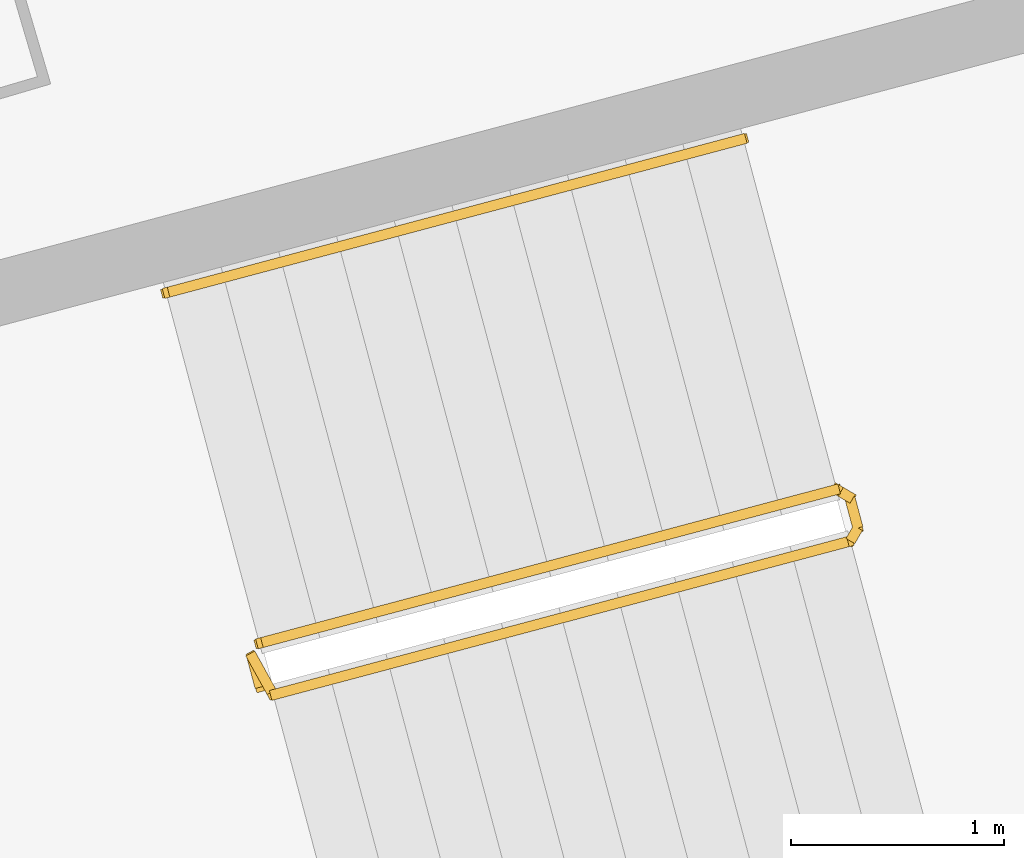
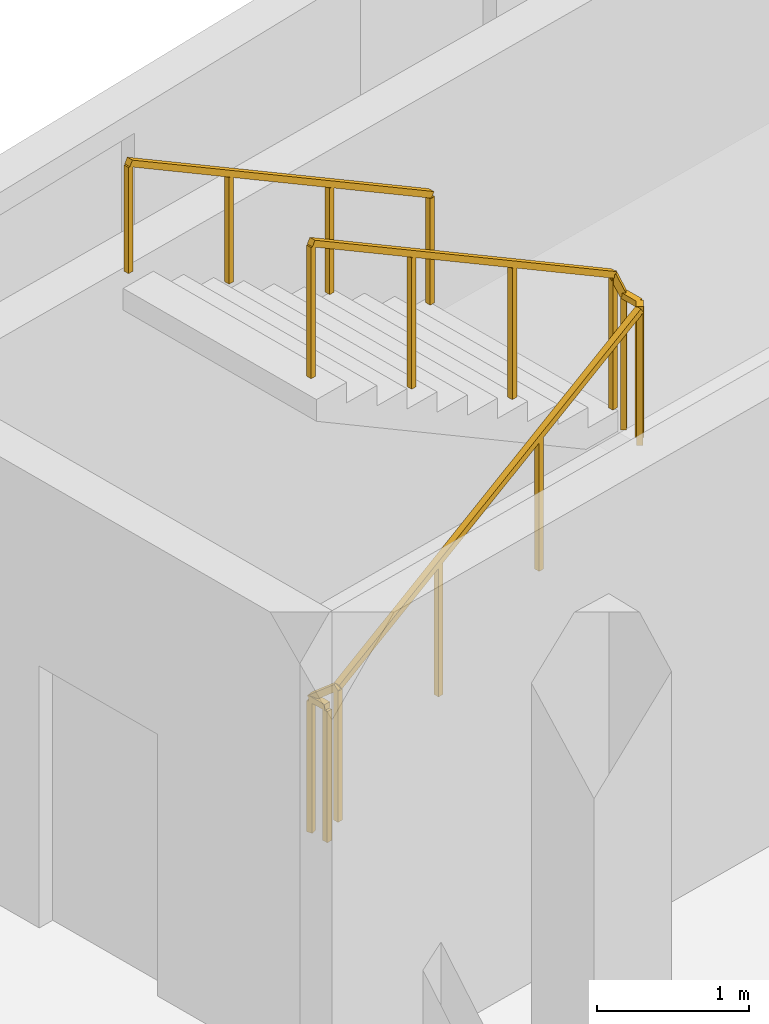
# One storey, part 17 of 17: 2 railings.
"""IFC4 building model written with IfcOpenShell, lengths in metres."""

from ifc_helpers import new_model, si_unit, direction, frame, origin, origin_2d, place, context, subcontext, project, spatial, rectangle, extrude, material, type_object, element, save


model = new_model("IFC4")

# Units and contexts
model_context = context("Model", 3, precision=1e-05, world=origin(), true_north=direction((0.0, 1.0)))
body_context = subcontext(model_context, "Body", "Model", "MODEL_VIEW")
ifc_project = project(units=[si_unit("LENGTHUNIT", "METRE"), si_unit("AREAUNIT", "SQUARE_METRE"), si_unit("VOLUMEUNIT", "CUBIC_METRE"), si_unit("PLANEANGLEUNIT", "RADIAN"), si_unit("MASSUNIT", "GRAM", prefix="KILO")], contexts=[model_context])

# Site, building, storey
site_placement = place(None, origin())
site = spatial("IfcSite", under=ifc_project, at=site_placement, CompositionType="ELEMENT")
building_placement = place(site_placement, origin())
building = spatial("IfcBuilding", under=site, at=building_placement, Name="Alderwake Tower", CompositionType="ELEMENT")
storey_placement = place(building_placement, frame((0.0, 0.0, 260.0)))
storey = spatial("IfcBuildingStorey", under=building, at=storey_placement, Name="L64", CompositionType="ELEMENT", Elevation=260.0)

# Railings
ifc_material_1 = material(Name="Stainless steel guard", Category="steel")
railing_type_1 = type_object("IfcRailingType", Name="Stair guard 1100", PredefinedType="GUARDRAIL", material=ifc_material_1)
railing_1_placement = place(storey_placement, frame((39.23291015625, 92.6806640625, 0.0)))
element("IfcRailing", 1, at=railing_1_placement, inside=storey, type_object=railing_type_1, Name="L64 ST-A stair guard 1", PredefinedType="GUARDRAIL", context=body_context, shape_type="SweptSolid", body=[
    extrude(rectangle(XDim=0.048095703125, YDim=0.048095703125, at=origin_2d()), frame((0.0, 0.0, 1.076171875), z_axis=(-0.257055032184, 0.966396766566, 0.0), x_axis=(-0.966396766566, -0.257055032184, 0.0)), (0.0, 0.0, 1.0), 0.150146484375),
    extrude(rectangle(XDim=0.048095703125, YDim=0.048095703125, at=origin_2d()), frame((-0.03857421875, 0.14501953125, 1.076171875), z_axis=(0.379370725808, -0.685464465458, 0.621463047167), x_axis=(0.874937996095, 0.484234966715, 0.0)), (0.0, 0.0, 1.0), 0.26318359375),
    extrude(rectangle(XDim=0.048095703125, YDim=0.048095703125, at=origin_2d()), frame((0.061279296875, -0.035400390625, 1.23974609375), z_axis=(0.834258940753, 0.22222815314, 0.504605457487), x_axis=(-0.257402139082, 0.966304371715, 0.0)), (0.0, 0.0, 1.0), 3.2431640625),
    extrude(rectangle(XDim=0.048095703125, YDim=0.048095703125, at=origin_2d()), frame((2.766845703125, 0.685302734375, 2.8759765625), z_axis=(0.500220121494, 0.865898279276, 0.0), x_axis=(-0.865898279276, 0.500220121494, 0.0)), (0.0, 0.0, 1.0), 0.07080078125),
    extrude(rectangle(XDim=0.048095703125, YDim=0.048095703125, at=origin_2d()), frame((2.80224609375, 0.74658203125, 2.8759765625), z_axis=(-0.257459803502, 0.966289009345, 0.0), x_axis=(-0.966289009345, -0.257459803502, 0.0)), (0.0, 0.0, 1.0), 0.14990234375),
    extrude(rectangle(XDim=0.048095703125, YDim=0.048095703125, at=origin_2d()), frame((2.763671875, 0.891357421875, 2.8759765625), z_axis=(-0.34252489212, 0.200034536998, 0.917966710881), x_axis=(-0.504300490226, -0.863528236688, 0.0)), (0.0, 0.0, 1.0), 0.17822265625),
    extrude(rectangle(XDim=0.048095703125, YDim=0.048095703125, at=origin_2d()), frame((2.70263671875, 0.927001953125, 3.03955078125), z_axis=(-0.834281824786, -0.222214197128, 0.504573768072), x_axis=(0.257380452725, -0.966310148221, 0.0)), (0.0, 0.0, 1.0), 3.2431640625),
    extrude(rectangle(XDim=0.0419921875, YDim=0.0419921875, at=origin_2d()), frame((0.0, 0.0, 0.0), z_axis=(0.0, 0.0, 1.0), x_axis=(-0.257055032184, 0.966396766566, 0.0)), (0.0, 0.0, 1.0), 1.052001953125),
    extrude(rectangle(XDim=0.0419921875, YDim=0.0419921875, at=origin_2d()), frame((-0.03857421875, 0.14501953125, 0.0), z_axis=(0.0, 0.0, 1.0), x_axis=(0.484234966715, -0.874937996095, 0.0)), (0.0, 0.0, 1.0), 1.052001953125),
    extrude(rectangle(XDim=0.0419921875, YDim=0.0419921875, at=origin_2d()), frame((0.061279296875, -0.035400390625, 0.16357421875), z_axis=(0.0, 0.0, 1.0), x_axis=(0.966304371715, 0.257402139082, 0.0)), (0.0, 0.0, 1.0), 1.052001953125),
    extrude(rectangle(XDim=0.0419921875, YDim=0.0419921875, at=origin_2d()), frame((0.963134765625, 0.204833984375, 0.708984375), z_axis=(0.0, 0.0, 1.0), x_axis=(0.966304371715, 0.257402139082, 0.0)), (0.0, 0.0, 1.0), 1.052001953125),
    extrude(rectangle(XDim=0.0419921875, YDim=0.0419921875, at=origin_2d()), frame((1.864990234375, 0.445068359375, 1.254638671875), z_axis=(0.0, 0.0, 1.0), x_axis=(0.966304371715, 0.257402139082, 0.0)), (0.0, 0.0, 1.0), 1.052001953125),
    extrude(rectangle(XDim=0.0419921875, YDim=0.0419921875, at=origin_2d()), frame((2.766845703125, 0.685302734375, 1.800048828125), z_axis=(0.0, 0.0, 1.0), x_axis=(0.500220121494, 0.865898279276, 0.0)), (0.0, 0.0, 1.0), 1.052001953125),
    extrude(rectangle(XDim=0.0419921875, YDim=0.0419921875, at=origin_2d()), frame((2.80224609375, 0.74658203125, 1.800048828125), z_axis=(0.0, 0.0, 1.0), x_axis=(-0.257459803502, 0.966289009345, 0.0)), (0.0, 0.0, 1.0), 1.052001953125),
    extrude(rectangle(XDim=0.0419921875, YDim=0.0419921875, at=origin_2d()), frame((2.763671875, 0.891357421875, 1.800048828125), z_axis=(0.0, 0.0, 1.0), x_axis=(-0.863528236688, 0.504300490226, 0.0)), (0.0, 0.0, 1.0), 1.052001953125),
    extrude(rectangle(XDim=0.0419921875, YDim=0.0419921875, at=origin_2d()), frame((2.70263671875, 0.927001953125, 1.963623046875), z_axis=(0.0, 0.0, 1.0), x_axis=(-0.966310148221, -0.257380452725, 0.0)), (0.0, 0.0, 1.0), 1.052001953125),
    extrude(rectangle(XDim=0.0419921875, YDim=0.0419921875, at=origin_2d()), frame((1.80078125, 0.686767578125, 2.509033203125), z_axis=(0.0, 0.0, 1.0), x_axis=(-0.966310148221, -0.257380452725, 0.0)), (0.0, 0.0, 1.0), 1.052001953125),
    extrude(rectangle(XDim=0.0419921875, YDim=0.0419921875, at=origin_2d()), frame((0.898681640625, 0.446533203125, 3.0546875), z_axis=(0.0, 0.0, 1.0), x_axis=(-0.966310148221, -0.257380452725, 0.0)), (0.0, 0.0, 1.0), 1.052001953125),
    extrude(rectangle(XDim=0.0419921875, YDim=0.0419921875, at=origin_2d()), frame((-0.003173828125, 0.206298828125, 3.60009765625), z_axis=(0.0, 0.0, 1.0), x_axis=(-0.966310148221, -0.257380452725, 0.0)), (0.0, 0.0, 1.0), 1.052001953125),
])
ifc_material_2 = material(Name="Stainless steel handrail", Category="steel")
railing_type_2 = type_object("IfcRailingType", Name="Stair handrail 900", PredefinedType="HANDRAIL", material=ifc_material_2)
railing_2_placement = place(storey_placement, frame((41.497802734375, 95.250244140625, 1.963623046875)))
element("IfcRailing", 2, at=railing_2_placement, inside=storey, type_object=railing_type_2, Name="L64 ST-A stair handrail 2", PredefinedType="HANDRAIL", context=body_context, shape_type="SweptSolid", body=[
    extrude(rectangle(XDim=0.048095703125, YDim=0.048095703125, at=origin_2d()), frame((0.0, 0.0, 0.8759765625), z_axis=(-0.834258940753, -0.22222815314, 0.504605457487), x_axis=(0.257402139082, -0.966304371715, 0.0)), (0.0, 0.0, 1.0), 3.2431640625),
    extrude(rectangle(XDim=0.0419921875, YDim=0.0419921875, at=origin_2d()), frame((0.0, 0.0, 0.0), z_axis=(0.0, 0.0, 1.0), x_axis=(-0.966304371715, -0.257402139082, 0.0)), (0.0, 0.0, 1.0), 0.851806640625),
    extrude(rectangle(XDim=0.0419921875, YDim=0.0419921875, at=origin_2d()), frame((-0.90185546875, -0.240234375, 0.54541015625), z_axis=(0.0, 0.0, 1.0), x_axis=(-0.966304371715, -0.257402139082, 0.0)), (0.0, 0.0, 1.0), 0.851806640625),
    extrude(rectangle(XDim=0.0419921875, YDim=0.0419921875, at=origin_2d()), frame((-1.8037109375, -0.48046875, 1.091064453125), z_axis=(0.0, 0.0, 1.0), x_axis=(-0.966304371715, -0.257402139082, 0.0)), (0.0, 0.0, 1.0), 0.851806640625),
    extrude(rectangle(XDim=0.0419921875, YDim=0.0419921875, at=origin_2d()), frame((-2.70556640625, -0.720703125, 1.636474609375), z_axis=(0.0, 0.0, 1.0), x_axis=(-0.966304371715, -0.257402139082, 0.0)), (0.0, 0.0, 1.0), 0.851806640625),
])

save(model, "model.ifc")
